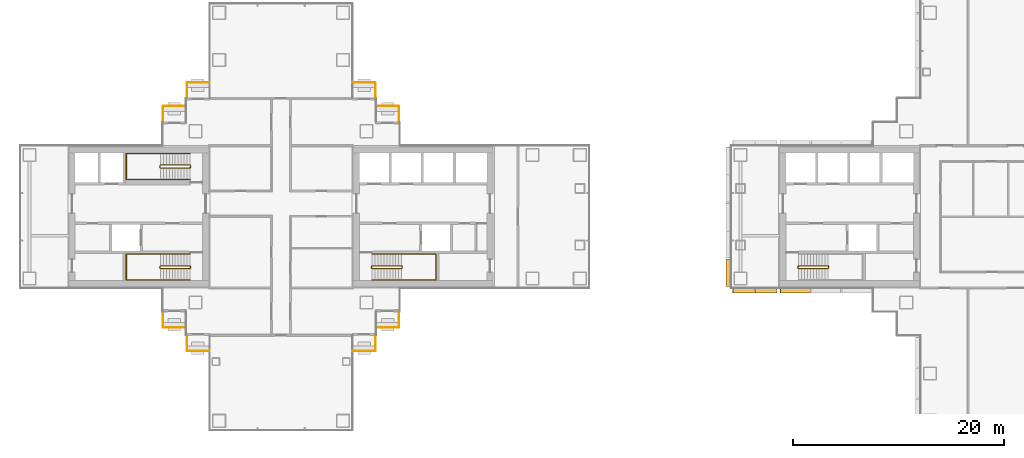
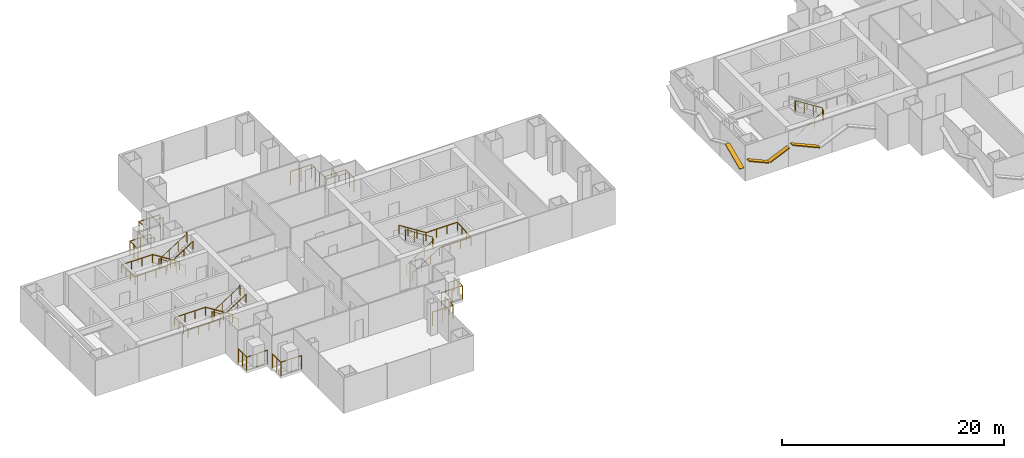
# One storey, part 17 of 20: 15 railings, 4 shading devices.
"""IFC4 building model written with IfcOpenShell, lengths in metres."""

from ifc_helpers import new_model, si_unit, direction, frame, origin, origin_2d, place, context, subcontext, project, spatial, rectangle, circle, extrude, material, material_profile, profile_set, type_object, element, save


model = new_model("IFC4")

# Units and contexts
model_context = context("Model", 3, precision=1e-05, world=origin(), true_north=direction((0.0, 1.0)))
body_context = subcontext(model_context, "Body", "Model", "MODEL_VIEW")
ifc_project = project(units=[si_unit("LENGTHUNIT", "METRE"), si_unit("AREAUNIT", "SQUARE_METRE"), si_unit("VOLUMEUNIT", "CUBIC_METRE"), si_unit("PLANEANGLEUNIT", "RADIAN"), si_unit("MASSUNIT", "GRAM", prefix="KILO")], contexts=[model_context])

# Site, building, storey
site_placement = place(None, origin())
site = spatial("IfcSite", under=ifc_project, at=site_placement, CompositionType="ELEMENT")
building_placement = place(site_placement, origin())
building = spatial("IfcBuilding", under=site, at=building_placement, Name="Shamsa Quay Exchange Towers", CompositionType="ELEMENT")
storey_placement = place(building_placement, frame((0.0, 0.0, 105.300048828125)))
storey = spatial("IfcBuildingStorey", under=building, at=storey_placement, Name="L24", CompositionType="ELEMENT", Elevation=105.300048828125)

# Railings
ifc_material_1 = material(Name="Steel S355, black powder-coated", Category="steel")
railing_type_1 = type_object("IfcRailingType", Name="BALCONY GUARD 1500", PredefinedType="GUARDRAIL", material=ifc_material_1)
for number, where, name in (
    (1, (-22.550048828125, 9.02099609375, 0.0), "Balcony guard T1-PKEN L24"),
    (2, (-24.800048828125, 11.27099609375, 0.0), "Balcony guard T1-PKEN L24"),
):
    element("IfcRailing", number, at=place(storey_placement, frame(where)), inside=storey, type_object=railing_type_1, Name=name, PredefinedType="GUARDRAIL", context=body_context, shape_type="SweptSolid", body=[
        extrude(circle(Radius=0.02392578125, at=origin_2d()), frame((0.0, 0.0, 1.47607421875), z_axis=(0.0, 1.0, 0.0), x_axis=(-1.0, 0.0, 0.0)), (0.0, 0.0, 1.0), 1.47900390625),
        extrude(circle(Radius=0.02392578125, at=origin_2d()), frame((0.0, 1.47900390625, 1.47607421875), z_axis=(-1.0, 0.0, 0.0), x_axis=(0.0, -1.0, 0.0)), (0.0, 0.0, 1.0), 2.161865234375),
        extrude(circle(Radius=0.02099609375, at=origin_2d()), origin(), (0.0, 0.0, 1.0), 1.451904296875),
        extrude(circle(Radius=0.02099609375, at=origin_2d()), frame((0.0, 0.739501953125, 0.0)), (0.0, 0.0, 1.0), 1.451904296875),
        extrude(circle(Radius=0.02099609375, at=origin_2d()), frame((0.0, 1.47900390625, 0.0)), (0.0, 0.0, 1.0), 1.451904296875),
        extrude(circle(Radius=0.02099609375, at=origin_2d()), frame((-1.0810546875, 1.47900390625, 0.0)), (0.0, 0.0, 1.0), 1.451904296875),
        extrude(circle(Radius=0.02099609375, at=origin_2d()), frame((-2.161865234375, 1.47900390625, 0.0)), (0.0, 0.0, 1.0), 1.451904296875),
    ])
for number, where, name in (
    (3, (-24.7119140625, -10.5, 0.0), "Balcony guard T1-PKES L24"),
    (4, (-26.9619140625, -12.75, 0.0), "Balcony guard T1-PKES L24"),
):
    element("IfcRailing", number, at=place(storey_placement, frame(where)), inside=storey, type_object=railing_type_1, Name=name, PredefinedType="GUARDRAIL", context=body_context, shape_type="SweptSolid", body=[
        extrude(circle(Radius=0.02392578125, at=origin_2d()), frame((0.0, 0.0, 1.47607421875), z_axis=(1.0, 0.0, 0.0), x_axis=(0.0, 1.0, 0.0)), (0.0, 0.0, 1.0), 2.161865234375),
        extrude(circle(Radius=0.02392578125, at=origin_2d()), frame((2.161865234375, 0.0, 1.47607421875), z_axis=(0.0, 1.0, 0.0), x_axis=(-1.0, 0.0, 0.0)), (0.0, 0.0, 1.0), 1.47900390625),
        extrude(circle(Radius=0.02099609375, at=origin_2d()), origin(), (0.0, 0.0, 1.0), 1.451904296875),
        extrude(circle(Radius=0.02099609375, at=origin_2d()), frame((1.0810546875, 0.0, 0.0)), (0.0, 0.0, 1.0), 1.451904296875),
        extrude(circle(Radius=0.02099609375, at=origin_2d()), frame((2.161865234375, 0.0, 0.0)), (0.0, 0.0, 1.0), 1.451904296875),
        extrude(circle(Radius=0.02099609375, at=origin_2d()), frame((2.161865234375, 0.739501953125, 0.0)), (0.0, 0.0, 1.0), 1.451904296875),
        extrude(circle(Radius=0.02099609375, at=origin_2d()), frame((2.161865234375, 1.47900390625, 0.0)), (0.0, 0.0, 1.0), 1.451904296875),
    ])
for number, where, name in (
    (5, (-40.5380859375, 12.75, 0.0), "Balcony guard T1-PKWN L24"),
    (6, (-42.7880859375, 10.5, 0.0), "Balcony guard T1-PKWN L24"),
):
    element("IfcRailing", number, at=place(storey_placement, frame(where)), inside=storey, type_object=railing_type_1, Name=name, PredefinedType="GUARDRAIL", context=body_context, shape_type="SweptSolid", body=[
        extrude(circle(Radius=0.02392578125, at=origin_2d()), frame((0.0, 0.0, 1.47607421875), z_axis=(-1.0, 0.0, 0.0), x_axis=(0.0, -1.0, 0.0)), (0.0, 0.0, 1.0), 2.161865234375),
        extrude(circle(Radius=0.02392578125, at=origin_2d()), frame((-2.161865234375, 0.0, 1.47607421875), z_axis=(0.0, -1.0, 0.0), x_axis=(1.0, 0.0, 0.0)), (0.0, 0.0, 1.0), 1.47900390625),
        extrude(circle(Radius=0.02099609375, at=origin_2d()), origin(), (0.0, 0.0, 1.0), 1.451904296875),
        extrude(circle(Radius=0.02099609375, at=origin_2d()), frame((-1.0810546875, 0.0, 0.0)), (0.0, 0.0, 1.0), 1.451904296875),
        extrude(circle(Radius=0.02099609375, at=origin_2d()), frame((-2.161865234375, 0.0, 0.0)), (0.0, 0.0, 1.0), 1.451904296875),
        extrude(circle(Radius=0.02099609375, at=origin_2d()), frame((-2.161865234375, -0.739501953125, 0.0)), (0.0, 0.0, 1.0), 1.451904296875),
        extrude(circle(Radius=0.02099609375, at=origin_2d()), frame((-2.161865234375, -1.47900390625, 0.0)), (0.0, 0.0, 1.0), 1.451904296875),
    ])
for number, where, name in (
    (7, (-44.949951171875, -9.02099609375, 0.0), "Balcony guard T1-PKWS L24"),
    (8, (-42.699951171875, -11.27099609375, 0.0), "Balcony guard T1-PKWS L24"),
):
    element("IfcRailing", number, at=place(storey_placement, frame(where)), inside=storey, type_object=railing_type_1, Name=name, PredefinedType="GUARDRAIL", context=body_context, shape_type="SweptSolid", body=[
        extrude(circle(Radius=0.02392578125, at=origin_2d()), frame((0.0, 0.0, 1.47607421875), z_axis=(0.0, -1.0, 0.0), x_axis=(1.0, 0.0, 0.0)), (0.0, 0.0, 1.0), 1.47900390625),
        extrude(circle(Radius=0.02392578125, at=origin_2d()), frame((0.0, -1.47900390625, 1.47607421875), z_axis=(1.0, 0.0, 0.0), x_axis=(0.0, 1.0, 0.0)), (0.0, 0.0, 1.0), 2.161865234375),
        extrude(circle(Radius=0.02099609375, at=origin_2d()), origin(), (0.0, 0.0, 1.0), 1.451904296875),
        extrude(circle(Radius=0.02099609375, at=origin_2d()), frame((0.0, -0.739501953125, 0.0)), (0.0, 0.0, 1.0), 1.451904296875),
        extrude(circle(Radius=0.02099609375, at=origin_2d()), frame((0.0, -1.47900390625, 0.0)), (0.0, 0.0, 1.0), 1.451904296875),
        extrude(circle(Radius=0.02099609375, at=origin_2d()), frame((1.0810546875, -1.47900390625, 0.0)), (0.0, 0.0, 1.0), 1.451904296875),
        extrude(circle(Radius=0.02099609375, at=origin_2d()), frame((2.161865234375, -1.47900390625, 0.0)), (0.0, 0.0, 1.0), 1.451904296875),
    ])

# Shading devices
ifc_material_2 = material(Name="Aluminium EN AW-6063 T6, black anodised", Category="aluminium")
ifc_material_profile = material_profile(ifc_material_2, rectangle(XDim=0.449951171875, YDim=0.10009765625, at=origin_2d()), Name="FIN450x100")
ifc_profile_set = profile_set([ifc_material_profile], Name="Aluminium EN AW-6063 T6, black anodised")
shading_device_type = type_object("IfcShadingDeviceType", Name="FIN 450x100 BLACK ALUMINIUM", PredefinedType="USERDEFINED", material=ifc_profile_set)
shading_device_1_placement = place(storey_placement, frame((8.735107421875, -4.010009765625, 2.176513671875), z_axis=(0.0, -0.91355925163, -0.406705659859), x_axis=(1.0, 0.0, 0.0)))
element("IfcShadingDevice", 9, at=shading_device_1_placement, inside=storey, type_object=shading_device_type, Name="FIN T2 chevron rib", ObjectType="FIN", PredefinedType="USERDEFINED", context=body_context, shape_type="SweptSolid", body=[
    extrude(rectangle(XDim=0.449951171875, YDim=0.10009765625, at=origin_2d()), origin(), (0.0, 0.0, 1.0), 2.835205078125),
])
for number, where, z_axis, x_axis, name in (
    (10, (9.14990234375, -7.014892578125, 2.056396484375), (0.913528691757, 0.0, -0.406774297783), (0.0, 1.0, 0.0), "FIN T2 chevron rib"),
    (11, (11.300048828125, -7.014892578125, 1.1435546875), (0.913528691757, 0.0, 0.406774297783), (0.0, 1.0, 0.0), "FIN T2 chevron rib"),
):
    element("IfcShadingDevice", number, at=place(storey_placement, frame(where, z_axis=z_axis, x_axis=x_axis)), inside=storey, type_object=shading_device_type, Name=name, ObjectType="FIN", PredefinedType="USERDEFINED", context=body_context, shape_type="SweptSolid", body=[
        extrude(rectangle(XDim=0.449951171875, YDim=0.10009765625, at=origin_2d()), origin(), (0.0, 0.0, 1.0), 2.244140625),
    ])
shading_device_2_placement = place(storey_placement, frame((13.64990234375, -7.01904296875, 2.234375), z_axis=(0.913562893981, 0.0, -0.406697478158), x_axis=(0.0, 1.0, 0.0)))
element("IfcShadingDevice", 12, at=shading_device_2_placement, inside=storey, type_object=shading_device_type, Name="FIN T2 chevron rib", ObjectType="FIN", PredefinedType="USERDEFINED", context=body_context, shape_type="SweptSolid", body=[
    extrude(rectangle(XDim=0.449951171875, YDim=0.10009765625, at=origin_2d()), origin(), (0.0, 0.0, 1.0), 3.119873046875),
])

# Railings
ifc_material_3 = material(Name="Stainless steel", Category="steel")
railing_type_2 = type_object("IfcRailingType", Name="STAIR GUARD 1100", PredefinedType="GUARDRAIL", material=ifc_material_3)
railing_1_placement = place(storey_placement, frame((-25.10009765625, -4.89990234375, 0.17724609375)))
element("IfcRailing", 13, at=railing_1_placement, inside=storey, type_object=railing_type_2, Name="L24 ST1 stair guard 1", PredefinedType="GUARDRAIL", context=body_context, shape_type="SweptSolid", body=[
    extrude(circle(Radius=0.02392578125, at=origin_2d()), frame((0.0, 0.0, 1.076171875), z_axis=(0.844908973607, 0.0, 0.534910110503), x_axis=(0.0, 1.0, 0.0)), (0.0, 0.0, 1.0), 3.31396484375),
    extrude(circle(Radius=0.02392578125, at=origin_2d()), frame((2.800048828125, 0.0, 2.8486328125), z_axis=(0.708833529934, 0.705375805398, 0.0), x_axis=(-0.705375805398, 0.708833529934, 0.0)), (0.0, 0.0, 1.0), 0.070556640625),
    extrude(circle(Radius=0.02392578125, at=origin_2d()), frame((2.85009765625, 0.0498046875, 2.8486328125), z_axis=(0.0, 1.0, 0.0), x_axis=(-1.0, 0.0, 0.0)), (0.0, 0.0, 1.0), 0.150146484375),
    extrude(circle(Radius=0.02392578125, at=origin_2d()), frame((2.85009765625, 0.199951171875, 2.8486328125), z_axis=(-0.262233686654, 0.262233686654, 0.928691007369), x_axis=(-0.707106781187, -0.707106781187, 0.0)), (0.0, 0.0, 1.0), 0.19091796875),
    extrude(circle(Radius=0.02392578125, at=origin_2d()), frame((2.800048828125, 0.25, 3.02587890625), z_axis=(-0.844908973607, 0.0, 0.534910110503), x_axis=(0.0, -1.0, 0.0)), (0.0, 0.0, 1.0), 3.31396484375),
    extrude(circle(Radius=0.02392578125, at=origin_2d()), frame((0.0, 0.25, 4.798828125), z_axis=(-0.24142163986, -0.970420317083, 0.0), x_axis=(0.970420317083, -0.24142163986, 0.0)), (0.0, 0.0, 1.0), 0.206298828125),
    extrude(circle(Radius=0.02392578125, at=origin_2d()), frame((-0.0498046875, 0.0498046875, 4.798828125), z_axis=(0.0, 1.0, 0.0), x_axis=(-1.0, 0.0, 0.0)), (0.0, 0.0, 1.0), 0.150146484375),
    extrude(circle(Radius=0.02099609375, at=origin_2d()), origin(), (0.0, 0.0, 1.0), 1.052001953125),
    extrude(circle(Radius=0.02099609375, at=origin_2d()), frame((0.933349609375, 0.0, 0.5908203125)), (0.0, 0.0, 1.0), 1.052001953125),
    extrude(circle(Radius=0.02099609375, at=origin_2d()), frame((1.86669921875, 0.0, 1.181884765625)), (0.0, 0.0, 1.0), 1.052001953125),
    extrude(circle(Radius=0.02099609375, at=origin_2d()), frame((2.800048828125, 0.0, 1.772705078125)), (0.0, 0.0, 1.0), 1.052001953125),
    extrude(circle(Radius=0.02099609375, at=origin_2d()), frame((2.85009765625, 0.0498046875, 1.772705078125)), (0.0, 0.0, 1.0), 1.052001953125),
    extrude(circle(Radius=0.02099609375, at=origin_2d()), frame((2.85009765625, 0.199951171875, 1.772705078125)), (0.0, 0.0, 1.0), 1.052001953125),
    extrude(circle(Radius=0.02099609375, at=origin_2d()), frame((2.800048828125, 0.25, 1.949951171875)), (0.0, 0.0, 1.0), 1.052001953125),
    extrude(circle(Radius=0.02099609375, at=origin_2d()), frame((1.86669921875, 0.25, 2.540771484375)), (0.0, 0.0, 1.0), 1.052001953125),
    extrude(circle(Radius=0.02099609375, at=origin_2d()), frame((0.933349609375, 0.25, 3.1318359375)), (0.0, 0.0, 1.0), 1.052001953125),
    extrude(circle(Radius=0.02099609375, at=origin_2d()), frame((0.0, 0.25, 3.72265625)), (0.0, 0.0, 1.0), 1.052001953125),
    extrude(circle(Radius=0.02099609375, at=origin_2d()), frame((-0.0498046875, 0.0498046875, 3.72265625)), (0.0, 0.0, 1.0), 1.052001953125),
    extrude(circle(Radius=0.02099609375, at=origin_2d()), frame((-0.0498046875, 0.199951171875, 3.72265625)), (0.0, 0.0, 1.0), 1.052001953125),
])
railing_2_placement = place(storey_placement, frame((-42.39990234375, -4.64990234375, 0.17724609375)))
element("IfcRailing", 14, at=railing_2_placement, inside=storey, type_object=railing_type_2, Name="L24 ST2 stair guard 1", PredefinedType="GUARDRAIL", context=body_context, shape_type="SweptSolid", body=[
    extrude(circle(Radius=0.02392578125, at=origin_2d()), frame((0.0, 0.0, 1.076171875), z_axis=(-0.844908973607, 0.0, 0.534910110503), x_axis=(0.0, -1.0, 0.0)), (0.0, 0.0, 1.0), 3.31396484375),
    extrude(circle(Radius=0.02392578125, at=origin_2d()), frame((-2.800048828125, 0.0, 2.8486328125), z_axis=(-0.707106781187, -0.707106781187, 0.0), x_axis=(0.707106781187, -0.707106781187, 0.0)), (0.0, 0.0, 1.0), 0.07080078125),
    extrude(circle(Radius=0.02392578125, at=origin_2d()), frame((-2.85009765625, -0.050048828125, 2.8486328125), z_axis=(0.0, -1.0, 0.0), x_axis=(1.0, 0.0, 0.0)), (0.0, 0.0, 1.0), 0.150146484375),
    extrude(circle(Radius=0.02392578125, at=origin_2d()), frame((-2.85009765625, -0.2001953125, 2.8486328125), z_axis=(0.262321481514, -0.261041864531, 0.929001929653), x_axis=(0.705375805398, 0.708833529934, 0.0)), (0.0, 0.0, 1.0), 0.190673828125),
    extrude(circle(Radius=0.02392578125, at=origin_2d()), frame((-2.800048828125, -0.25, 3.02587890625), z_axis=(0.844908973607, 0.0, 0.534910110503), x_axis=(0.0, 1.0, 0.0)), (0.0, 0.0, 1.0), 3.31396484375),
    extrude(circle(Radius=0.02392578125, at=origin_2d()), frame((0.0, -0.25, 4.798828125), z_axis=(0.241699205484, 0.970351222016, 0.0), x_axis=(-0.970351222016, 0.241699205484, 0.0)), (0.0, 0.0, 1.0), 0.2060546875),
    extrude(circle(Radius=0.02392578125, at=origin_2d()), frame((0.0498046875, -0.050048828125, 4.798828125), z_axis=(0.0, -1.0, 0.0), x_axis=(1.0, 0.0, 0.0)), (0.0, 0.0, 1.0), 0.150146484375),
    extrude(circle(Radius=0.02099609375, at=origin_2d()), origin(), (0.0, 0.0, 1.0), 1.052001953125),
    extrude(circle(Radius=0.02099609375, at=origin_2d()), frame((-0.933349609375, 0.0, 0.5908203125)), (0.0, 0.0, 1.0), 1.052001953125),
    extrude(circle(Radius=0.02099609375, at=origin_2d()), frame((-1.86669921875, 0.0, 1.181884765625)), (0.0, 0.0, 1.0), 1.052001953125),
    extrude(circle(Radius=0.02099609375, at=origin_2d()), frame((-2.800048828125, 0.0, 1.772705078125)), (0.0, 0.0, 1.0), 1.052001953125),
    extrude(circle(Radius=0.02099609375, at=origin_2d()), frame((-2.85009765625, -0.050048828125, 1.772705078125)), (0.0, 0.0, 1.0), 1.052001953125),
    extrude(circle(Radius=0.02099609375, at=origin_2d()), frame((-2.85009765625, -0.2001953125, 1.772705078125)), (0.0, 0.0, 1.0), 1.052001953125),
    extrude(circle(Radius=0.02099609375, at=origin_2d()), frame((-2.800048828125, -0.25, 1.949951171875)), (0.0, 0.0, 1.0), 1.052001953125),
    extrude(circle(Radius=0.02099609375, at=origin_2d()), frame((-1.86669921875, -0.25, 2.540771484375)), (0.0, 0.0, 1.0), 1.052001953125),
    extrude(circle(Radius=0.02099609375, at=origin_2d()), frame((-0.933349609375, -0.25, 3.1318359375)), (0.0, 0.0, 1.0), 1.052001953125),
    extrude(circle(Radius=0.02099609375, at=origin_2d()), frame((0.0, -0.25, 3.72265625)), (0.0, 0.0, 1.0), 1.052001953125),
    extrude(circle(Radius=0.02099609375, at=origin_2d()), frame((0.0498046875, -0.050048828125, 3.72265625)), (0.0, 0.0, 1.0), 1.052001953125),
    extrude(circle(Radius=0.02099609375, at=origin_2d()), frame((0.0498046875, -0.2001953125, 3.72265625)), (0.0, 0.0, 1.0), 1.052001953125),
])
railing_3_placement = place(storey_placement, frame((-42.39990234375, 4.89990234375, 0.17724609375)))
element("IfcRailing", 15, at=railing_3_placement, inside=storey, type_object=railing_type_2, Name="L24 ST3 stair guard 1", PredefinedType="GUARDRAIL", context=body_context, shape_type="SweptSolid", body=[
    extrude(circle(Radius=0.02392578125, at=origin_2d()), frame((0.0, 0.0, 1.076171875), z_axis=(-0.844908973607, 0.0, 0.534910110503), x_axis=(0.0, -1.0, 0.0)), (0.0, 0.0, 1.0), 3.31396484375),
    extrude(circle(Radius=0.02392578125, at=origin_2d()), frame((-2.800048828125, 0.0, 2.8486328125), z_axis=(-0.708833529934, -0.705375805398, 0.0), x_axis=(0.705375805398, -0.708833529934, 0.0)), (0.0, 0.0, 1.0), 0.070556640625),
    extrude(circle(Radius=0.02392578125, at=origin_2d()), frame((-2.85009765625, -0.0498046875, 2.8486328125), z_axis=(0.0, -1.0, 0.0), x_axis=(1.0, 0.0, 0.0)), (0.0, 0.0, 1.0), 0.150146484375),
    extrude(circle(Radius=0.02392578125, at=origin_2d()), frame((-2.85009765625, -0.199951171875, 2.8486328125), z_axis=(0.262233686654, -0.262233686654, 0.928691007369), x_axis=(0.707106781187, 0.707106781187, 0.0)), (0.0, 0.0, 1.0), 0.19091796875),
    extrude(circle(Radius=0.02392578125, at=origin_2d()), frame((-2.800048828125, -0.25, 3.02587890625), z_axis=(0.844908973607, 0.0, 0.534910110503), x_axis=(0.0, 1.0, 0.0)), (0.0, 0.0, 1.0), 3.31396484375),
    extrude(circle(Radius=0.02392578125, at=origin_2d()), frame((0.0, -0.25, 4.798828125), z_axis=(0.24142163986, 0.970420317083, 0.0), x_axis=(-0.970420317083, 0.24142163986, 0.0)), (0.0, 0.0, 1.0), 0.206298828125),
    extrude(circle(Radius=0.02392578125, at=origin_2d()), frame((0.0498046875, -0.0498046875, 4.798828125), z_axis=(0.0, -1.0, 0.0), x_axis=(1.0, 0.0, 0.0)), (0.0, 0.0, 1.0), 0.150146484375),
    extrude(circle(Radius=0.02099609375, at=origin_2d()), origin(), (0.0, 0.0, 1.0), 1.052001953125),
    extrude(circle(Radius=0.02099609375, at=origin_2d()), frame((-0.933349609375, 0.0, 0.5908203125)), (0.0, 0.0, 1.0), 1.052001953125),
    extrude(circle(Radius=0.02099609375, at=origin_2d()), frame((-1.86669921875, 0.0, 1.181884765625)), (0.0, 0.0, 1.0), 1.052001953125),
    extrude(circle(Radius=0.02099609375, at=origin_2d()), frame((-2.800048828125, 0.0, 1.772705078125)), (0.0, 0.0, 1.0), 1.052001953125),
    extrude(circle(Radius=0.02099609375, at=origin_2d()), frame((-2.85009765625, -0.0498046875, 1.772705078125)), (0.0, 0.0, 1.0), 1.052001953125),
    extrude(circle(Radius=0.02099609375, at=origin_2d()), frame((-2.85009765625, -0.199951171875, 1.772705078125)), (0.0, 0.0, 1.0), 1.052001953125),
    extrude(circle(Radius=0.02099609375, at=origin_2d()), frame((-2.800048828125, -0.25, 1.949951171875)), (0.0, 0.0, 1.0), 1.052001953125),
    extrude(circle(Radius=0.02099609375, at=origin_2d()), frame((-1.86669921875, -0.25, 2.540771484375)), (0.0, 0.0, 1.0), 1.052001953125),
    extrude(circle(Radius=0.02099609375, at=origin_2d()), frame((-0.933349609375, -0.25, 3.1318359375)), (0.0, 0.0, 1.0), 1.052001953125),
    extrude(circle(Radius=0.02099609375, at=origin_2d()), frame((0.0, -0.25, 3.72265625)), (0.0, 0.0, 1.0), 1.052001953125),
    extrude(circle(Radius=0.02099609375, at=origin_2d()), frame((0.0498046875, -0.0498046875, 3.72265625)), (0.0, 0.0, 1.0), 1.052001953125),
    extrude(circle(Radius=0.02099609375, at=origin_2d()), frame((0.0498046875, -0.199951171875, 3.72265625)), (0.0, 0.0, 1.0), 1.052001953125),
])
railing_4_placement = place(storey_placement, frame((15.39990234375, -4.89990234375, 0.17724609375)))
element("IfcRailing", 16, at=railing_4_placement, inside=storey, type_object=railing_type_2, Name="L24 ST4 stair guard 1", PredefinedType="GUARDRAIL", context=body_context, shape_type="SweptSolid", body=[
    extrude(circle(Radius=0.02392578125, at=origin_2d()), frame((0.0, 0.0, 1.076171875), z_axis=(0.844908973607, 0.0, 0.534910110503), x_axis=(0.0, 1.0, 0.0)), (0.0, 0.0, 1.0), 3.31396484375),
    extrude(circle(Radius=0.02392578125, at=origin_2d()), frame((2.800048828125, 0.0, 2.8486328125), z_axis=(0.708833529934, 0.705375805398, 0.0), x_axis=(-0.705375805398, 0.708833529934, 0.0)), (0.0, 0.0, 1.0), 0.070556640625),
    extrude(circle(Radius=0.02392578125, at=origin_2d()), frame((2.85009765625, 0.0498046875, 2.8486328125), z_axis=(0.0, 1.0, 0.0), x_axis=(-1.0, 0.0, 0.0)), (0.0, 0.0, 1.0), 0.150146484375),
    extrude(circle(Radius=0.02392578125, at=origin_2d()), frame((2.85009765625, 0.199951171875, 2.8486328125), z_axis=(-0.262233686654, 0.262233686654, 0.928691007369), x_axis=(-0.707106781187, -0.707106781187, 0.0)), (0.0, 0.0, 1.0), 0.19091796875),
    extrude(circle(Radius=0.02392578125, at=origin_2d()), frame((2.800048828125, 0.25, 3.02587890625), z_axis=(-0.844908973607, 0.0, 0.534910110503), x_axis=(0.0, -1.0, 0.0)), (0.0, 0.0, 1.0), 3.31396484375),
    extrude(circle(Radius=0.02392578125, at=origin_2d()), frame((0.0, 0.25, 4.798828125), z_axis=(-0.24142163986, -0.970420317083, 0.0), x_axis=(0.970420317083, -0.24142163986, 0.0)), (0.0, 0.0, 1.0), 0.206298828125),
    extrude(circle(Radius=0.02392578125, at=origin_2d()), frame((-0.0498046875, 0.0498046875, 4.798828125), z_axis=(0.0, 1.0, 0.0), x_axis=(-1.0, 0.0, 0.0)), (0.0, 0.0, 1.0), 0.150146484375),
    extrude(circle(Radius=0.02099609375, at=origin_2d()), origin(), (0.0, 0.0, 1.0), 1.052001953125),
    extrude(circle(Radius=0.02099609375, at=origin_2d()), frame((0.933349609375, 0.0, 0.5908203125)), (0.0, 0.0, 1.0), 1.052001953125),
    extrude(circle(Radius=0.02099609375, at=origin_2d()), frame((1.86669921875, 0.0, 1.181884765625)), (0.0, 0.0, 1.0), 1.052001953125),
    extrude(circle(Radius=0.02099609375, at=origin_2d()), frame((2.800048828125, 0.0, 1.772705078125)), (0.0, 0.0, 1.0), 1.052001953125),
    extrude(circle(Radius=0.02099609375, at=origin_2d()), frame((2.85009765625, 0.0498046875, 1.772705078125)), (0.0, 0.0, 1.0), 1.052001953125),
    extrude(circle(Radius=0.02099609375, at=origin_2d()), frame((2.85009765625, 0.199951171875, 1.772705078125)), (0.0, 0.0, 1.0), 1.052001953125),
    extrude(circle(Radius=0.02099609375, at=origin_2d()), frame((2.800048828125, 0.25, 1.949951171875)), (0.0, 0.0, 1.0), 1.052001953125),
    extrude(circle(Radius=0.02099609375, at=origin_2d()), frame((1.86669921875, 0.25, 2.540771484375)), (0.0, 0.0, 1.0), 1.052001953125),
    extrude(circle(Radius=0.02099609375, at=origin_2d()), frame((0.933349609375, 0.25, 3.1318359375)), (0.0, 0.0, 1.0), 1.052001953125),
    extrude(circle(Radius=0.02099609375, at=origin_2d()), frame((0.0, 0.25, 3.72265625)), (0.0, 0.0, 1.0), 1.052001953125),
    extrude(circle(Radius=0.02099609375, at=origin_2d()), frame((-0.0498046875, 0.0498046875, 3.72265625)), (0.0, 0.0, 1.0), 1.052001953125),
    extrude(circle(Radius=0.02099609375, at=origin_2d()), frame((-0.0498046875, 0.199951171875, 3.72265625)), (0.0, 0.0, 1.0), 1.052001953125),
])
railing_type_3 = type_object("IfcRailingType", Name="STAIR HANDRAIL 900", PredefinedType="HANDRAIL", material=ifc_material_3)
railing_5_placement = place(storey_placement, frame((-25.10009765625, -6.0, 0.17724609375)))
element("IfcRailing", 17, at=railing_5_placement, inside=storey, type_object=railing_type_3, Name="L24 ST1 stair handrail 1", PredefinedType="HANDRAIL", context=body_context, shape_type="SweptSolid", body=[
    extrude(circle(Radius=0.02392578125, at=origin_2d()), frame((0.0, 0.0, 0.8759765625), z_axis=(0.844908973607, 0.0, 0.534910110503), x_axis=(0.0, 1.0, 0.0)), (0.0, 0.0, 1.0), 3.31396484375),
    extrude(circle(Radius=0.02392578125, at=origin_2d()), frame((2.800048828125, 0.0, 2.6484375), z_axis=(1.0, 0.0, 0.0), x_axis=(0.0, 1.0, 0.0)), (0.0, 0.0, 1.0), 3.25),
    extrude(circle(Radius=0.02392578125, at=origin_2d()), frame((6.050048828125, 0.0, 2.6484375), z_axis=(0.0, 0.997393199914, 0.07215819264), x_axis=(-1.0, 0.0, 0.0)), (0.0, 0.0, 1.0), 2.456298828125),
    extrude(circle(Radius=0.02392578125, at=origin_2d()), frame((6.050048828125, 2.449951171875, 2.82568359375), z_axis=(-1.0, 0.0, 0.0), x_axis=(0.0, -1.0, 0.0)), (0.0, 0.0, 1.0), 3.25),
    extrude(circle(Radius=0.02392578125, at=origin_2d()), frame((2.800048828125, 2.449951171875, 2.82568359375), z_axis=(-0.844908973607, 0.0, 0.534910110503), x_axis=(0.0, -1.0, 0.0)), (0.0, 0.0, 1.0), 3.31396484375),
    extrude(circle(Radius=0.02099609375, at=origin_2d()), origin(), (0.0, 0.0, 1.0), 0.851806640625),
    extrude(circle(Radius=0.02099609375, at=origin_2d()), frame((0.933349609375, 0.0, 0.5908203125)), (0.0, 0.0, 1.0), 0.851806640625),
    extrude(circle(Radius=0.02099609375, at=origin_2d()), frame((1.86669921875, 0.0, 1.181884765625)), (0.0, 0.0, 1.0), 0.851806640625),
    extrude(circle(Radius=0.02099609375, at=origin_2d()), frame((2.800048828125, 0.0, 1.772705078125)), (0.0, 0.0, 1.0), 0.851806640625),
    extrude(circle(Radius=0.02099609375, at=origin_2d()), frame((3.88330078125, 0.0, 1.772705078125)), (0.0, 0.0, 1.0), 0.851806640625),
    extrude(circle(Radius=0.02099609375, at=origin_2d()), frame((4.966796875, 0.0, 1.772705078125)), (0.0, 0.0, 1.0), 0.851806640625),
    extrude(circle(Radius=0.02099609375, at=origin_2d()), frame((6.050048828125, 0.0, 1.772705078125)), (0.0, 0.0, 1.0), 0.851806640625),
    extrude(circle(Radius=0.02099609375, at=origin_2d()), frame((6.050048828125, 0.816650390625, 1.831787109375)), (0.0, 0.0, 1.0), 0.851806640625),
    extrude(circle(Radius=0.02099609375, at=origin_2d()), frame((6.050048828125, 1.63330078125, 1.890869140625)), (0.0, 0.0, 1.0), 0.851806640625),
    extrude(circle(Radius=0.02099609375, at=origin_2d()), frame((6.050048828125, 2.449951171875, 1.949951171875)), (0.0, 0.0, 1.0), 0.851806640625),
    extrude(circle(Radius=0.02099609375, at=origin_2d()), frame((4.966796875, 2.449951171875, 1.949951171875)), (0.0, 0.0, 1.0), 0.851806640625),
    extrude(circle(Radius=0.02099609375, at=origin_2d()), frame((3.88330078125, 2.449951171875, 1.949951171875)), (0.0, 0.0, 1.0), 0.851806640625),
    extrude(circle(Radius=0.02099609375, at=origin_2d()), frame((2.800048828125, 2.449951171875, 1.949951171875)), (0.0, 0.0, 1.0), 0.851806640625),
    extrude(circle(Radius=0.02099609375, at=origin_2d()), frame((1.86669921875, 2.449951171875, 2.540771484375)), (0.0, 0.0, 1.0), 0.851806640625),
    extrude(circle(Radius=0.02099609375, at=origin_2d()), frame((0.933349609375, 2.449951171875, 3.1318359375)), (0.0, 0.0, 1.0), 0.851806640625),
    extrude(circle(Radius=0.02099609375, at=origin_2d()), frame((0.0, 2.449951171875, 3.72265625)), (0.0, 0.0, 1.0), 0.851806640625),
])
railing_6_placement = place(storey_placement, frame((-42.39990234375, -3.550048828125, 0.17724609375)))
element("IfcRailing", 18, at=railing_6_placement, inside=storey, type_object=railing_type_3, Name="L24 ST2 stair handrail 1", PredefinedType="HANDRAIL", context=body_context, shape_type="SweptSolid", body=[
    extrude(circle(Radius=0.02392578125, at=origin_2d()), frame((0.0, 0.0, 0.8759765625), z_axis=(-0.844908973607, 0.0, 0.534910110503), x_axis=(0.0, -1.0, 0.0)), (0.0, 0.0, 1.0), 3.31396484375),
    extrude(circle(Radius=0.02392578125, at=origin_2d()), frame((-2.800048828125, 0.0, 2.6484375), z_axis=(-1.0, 0.0, 0.0), x_axis=(0.0, -1.0, 0.0)), (0.0, 0.0, 1.0), 3.25),
    extrude(circle(Radius=0.02392578125, at=origin_2d()), frame((-6.050048828125, 0.0, 2.6484375), z_axis=(0.0, -0.997393199914, 0.07215819264), x_axis=(1.0, 0.0, 0.0)), (0.0, 0.0, 1.0), 2.456298828125),
    extrude(circle(Radius=0.02392578125, at=origin_2d()), frame((-6.050048828125, -2.449951171875, 2.82568359375), z_axis=(1.0, 0.0, 0.0), x_axis=(0.0, 1.0, 0.0)), (0.0, 0.0, 1.0), 3.25),
    extrude(circle(Radius=0.02392578125, at=origin_2d()), frame((-2.800048828125, -2.449951171875, 2.82568359375), z_axis=(0.844908973607, 0.0, 0.534910110503), x_axis=(0.0, 1.0, 0.0)), (0.0, 0.0, 1.0), 3.31396484375),
    extrude(circle(Radius=0.02099609375, at=origin_2d()), origin(), (0.0, 0.0, 1.0), 0.851806640625),
    extrude(circle(Radius=0.02099609375, at=origin_2d()), frame((-0.933349609375, 0.0, 0.5908203125)), (0.0, 0.0, 1.0), 0.851806640625),
    extrude(circle(Radius=0.02099609375, at=origin_2d()), frame((-1.86669921875, 0.0, 1.181884765625)), (0.0, 0.0, 1.0), 0.851806640625),
    extrude(circle(Radius=0.02099609375, at=origin_2d()), frame((-2.800048828125, 0.0, 1.772705078125)), (0.0, 0.0, 1.0), 0.851806640625),
    extrude(circle(Radius=0.02099609375, at=origin_2d()), frame((-3.88330078125, 0.0, 1.772705078125)), (0.0, 0.0, 1.0), 0.851806640625),
    extrude(circle(Radius=0.02099609375, at=origin_2d()), frame((-4.966796875, 0.0, 1.772705078125)), (0.0, 0.0, 1.0), 0.851806640625),
    extrude(circle(Radius=0.02099609375, at=origin_2d()), frame((-6.050048828125, 0.0, 1.772705078125)), (0.0, 0.0, 1.0), 0.851806640625),
    extrude(circle(Radius=0.02099609375, at=origin_2d()), frame((-6.050048828125, -0.816650390625, 1.831787109375)), (0.0, 0.0, 1.0), 0.851806640625),
    extrude(circle(Radius=0.02099609375, at=origin_2d()), frame((-6.050048828125, -1.63330078125, 1.890869140625)), (0.0, 0.0, 1.0), 0.851806640625),
    extrude(circle(Radius=0.02099609375, at=origin_2d()), frame((-6.050048828125, -2.449951171875, 1.949951171875)), (0.0, 0.0, 1.0), 0.851806640625),
    extrude(circle(Radius=0.02099609375, at=origin_2d()), frame((-4.966796875, -2.449951171875, 1.949951171875)), (0.0, 0.0, 1.0), 0.851806640625),
    extrude(circle(Radius=0.02099609375, at=origin_2d()), frame((-3.88330078125, -2.449951171875, 1.949951171875)), (0.0, 0.0, 1.0), 0.851806640625),
    extrude(circle(Radius=0.02099609375, at=origin_2d()), frame((-2.800048828125, -2.449951171875, 1.949951171875)), (0.0, 0.0, 1.0), 0.851806640625),
    extrude(circle(Radius=0.02099609375, at=origin_2d()), frame((-1.86669921875, -2.449951171875, 2.540771484375)), (0.0, 0.0, 1.0), 0.851806640625),
    extrude(circle(Radius=0.02099609375, at=origin_2d()), frame((-0.933349609375, -2.449951171875, 3.1318359375)), (0.0, 0.0, 1.0), 0.851806640625),
    extrude(circle(Radius=0.02099609375, at=origin_2d()), frame((0.0, -2.449951171875, 3.72265625)), (0.0, 0.0, 1.0), 0.851806640625),
])
railing_7_placement = place(storey_placement, frame((-42.39990234375, 6.0, 0.17724609375)))
element("IfcRailing", 19, at=railing_7_placement, inside=storey, type_object=railing_type_3, Name="L24 ST3 stair handrail 1", PredefinedType="HANDRAIL", context=body_context, shape_type="SweptSolid", body=[
    extrude(circle(Radius=0.02392578125, at=origin_2d()), frame((0.0, 0.0, 0.8759765625), z_axis=(-0.844908973607, 0.0, 0.534910110503), x_axis=(0.0, -1.0, 0.0)), (0.0, 0.0, 1.0), 3.31396484375),
    extrude(circle(Radius=0.02392578125, at=origin_2d()), frame((-2.800048828125, 0.0, 2.6484375), z_axis=(-1.0, 0.0, 0.0), x_axis=(0.0, -1.0, 0.0)), (0.0, 0.0, 1.0), 3.25),
    extrude(circle(Radius=0.02392578125, at=origin_2d()), frame((-6.050048828125, 0.0, 2.6484375), z_axis=(0.0, -0.997393199914, 0.07215819264), x_axis=(1.0, 0.0, 0.0)), (0.0, 0.0, 1.0), 2.456298828125),
    extrude(circle(Radius=0.02392578125, at=origin_2d()), frame((-6.050048828125, -2.449951171875, 2.82568359375), z_axis=(1.0, 0.0, 0.0), x_axis=(0.0, 1.0, 0.0)), (0.0, 0.0, 1.0), 3.25),
    extrude(circle(Radius=0.02392578125, at=origin_2d()), frame((-2.800048828125, -2.449951171875, 2.82568359375), z_axis=(0.844908973607, 0.0, 0.534910110503), x_axis=(0.0, 1.0, 0.0)), (0.0, 0.0, 1.0), 3.31396484375),
    extrude(circle(Radius=0.02099609375, at=origin_2d()), origin(), (0.0, 0.0, 1.0), 0.851806640625),
    extrude(circle(Radius=0.02099609375, at=origin_2d()), frame((-0.933349609375, 0.0, 0.5908203125)), (0.0, 0.0, 1.0), 0.851806640625),
    extrude(circle(Radius=0.02099609375, at=origin_2d()), frame((-1.86669921875, 0.0, 1.181884765625)), (0.0, 0.0, 1.0), 0.851806640625),
    extrude(circle(Radius=0.02099609375, at=origin_2d()), frame((-2.800048828125, 0.0, 1.772705078125)), (0.0, 0.0, 1.0), 0.851806640625),
    extrude(circle(Radius=0.02099609375, at=origin_2d()), frame((-3.88330078125, 0.0, 1.772705078125)), (0.0, 0.0, 1.0), 0.851806640625),
    extrude(circle(Radius=0.02099609375, at=origin_2d()), frame((-4.966796875, 0.0, 1.772705078125)), (0.0, 0.0, 1.0), 0.851806640625),
    extrude(circle(Radius=0.02099609375, at=origin_2d()), frame((-6.050048828125, 0.0, 1.772705078125)), (0.0, 0.0, 1.0), 0.851806640625),
    extrude(circle(Radius=0.02099609375, at=origin_2d()), frame((-6.050048828125, -0.816650390625, 1.831787109375)), (0.0, 0.0, 1.0), 0.851806640625),
    extrude(circle(Radius=0.02099609375, at=origin_2d()), frame((-6.050048828125, -1.63330078125, 1.890869140625)), (0.0, 0.0, 1.0), 0.851806640625),
    extrude(circle(Radius=0.02099609375, at=origin_2d()), frame((-6.050048828125, -2.449951171875, 1.949951171875)), (0.0, 0.0, 1.0), 0.851806640625),
    extrude(circle(Radius=0.02099609375, at=origin_2d()), frame((-4.966796875, -2.449951171875, 1.949951171875)), (0.0, 0.0, 1.0), 0.851806640625),
    extrude(circle(Radius=0.02099609375, at=origin_2d()), frame((-3.88330078125, -2.449951171875, 1.949951171875)), (0.0, 0.0, 1.0), 0.851806640625),
    extrude(circle(Radius=0.02099609375, at=origin_2d()), frame((-2.800048828125, -2.449951171875, 1.949951171875)), (0.0, 0.0, 1.0), 0.851806640625),
    extrude(circle(Radius=0.02099609375, at=origin_2d()), frame((-1.86669921875, -2.449951171875, 2.540771484375)), (0.0, 0.0, 1.0), 0.851806640625),
    extrude(circle(Radius=0.02099609375, at=origin_2d()), frame((-0.933349609375, -2.449951171875, 3.1318359375)), (0.0, 0.0, 1.0), 0.851806640625),
    extrude(circle(Radius=0.02099609375, at=origin_2d()), frame((0.0, -2.449951171875, 3.72265625)), (0.0, 0.0, 1.0), 0.851806640625),
])

save(model, "model.ifc")
